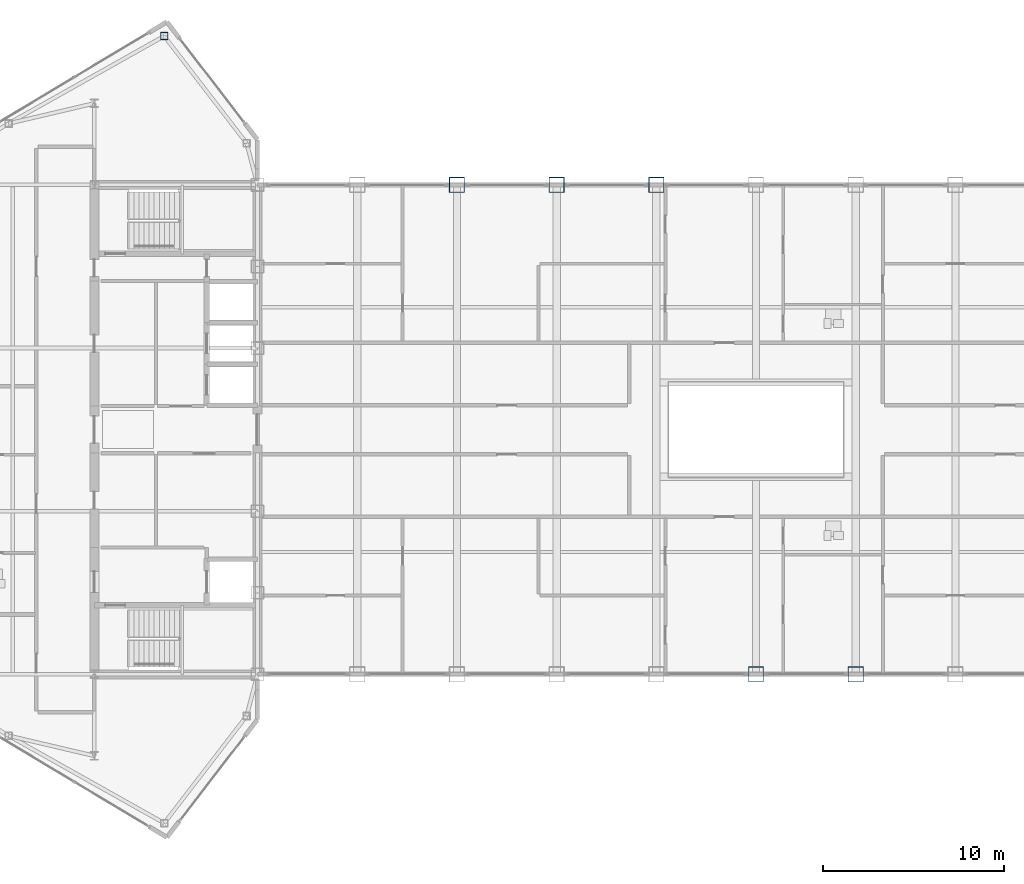
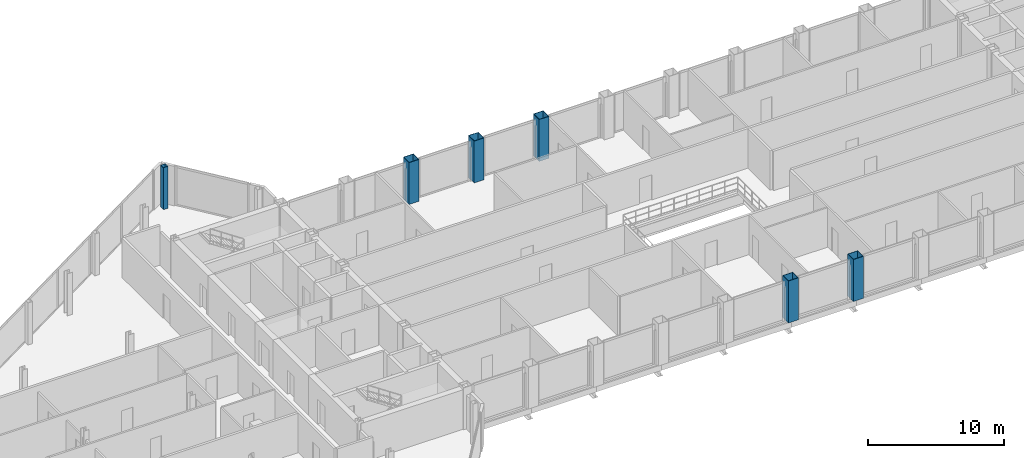
# One storey, part 3 of 29: 6 columns.
"""IFC4 building model written with IfcOpenShell, lengths in metres."""

from ifc_helpers import new_model, si_unit, direction, frame, origin, origin_2d, place, context, subcontext, project, spatial, hollow_rectangle, extrude, source, transform, mapped, material, material_profile, profile_set, type_object, type_shapes, element, save


model = new_model("IFC4")

# Units and contexts
model_context = context("Model", 3, precision=1e-05, world=origin(), true_north=direction((0.0, 1.0)))
body_context = subcontext(model_context, "Body", "Model", "MODEL_VIEW")
ifc_project = project(units=[si_unit("LENGTHUNIT", "METRE"), si_unit("AREAUNIT", "SQUARE_METRE"), si_unit("VOLUMEUNIT", "CUBIC_METRE"), si_unit("PLANEANGLEUNIT", "RADIAN"), si_unit("MASSUNIT", "GRAM", prefix="KILO")], contexts=[model_context])

# Site, building, storey
site_placement = place(None, origin())
site = spatial("IfcSite", under=ifc_project, at=site_placement, CompositionType="ELEMENT")
building_placement = place(site_placement, origin())
building = spatial("IfcBuilding", under=site, at=building_placement, Name="Seokmaru Belvedere", CompositionType="ELEMENT")
storey_placement = place(building_placement, frame((0.0, 0.0, 250.64990234375)))
storey = spatial("IfcBuildingStorey", under=building, at=storey_placement, Name="L66", CompositionType="ELEMENT", Elevation=250.64990234375)

# Columns
ifc_material_1 = material(Name="Steel SM355 (355 MPa)", Category="steel")
ifc_material_profile_1 = material_profile(ifc_material_1, hollow_rectangle(XDim=0.39990234375, YDim=0.39990234375, WallThickness=0.01611328125, at=origin_2d()), Name="HSS-400x400x16")
ifc_profile_set_1 = profile_set([ifc_material_profile_1], Name="Steel SM355 (355 MPa)")
column_type_1 = type_object("IfcColumnType", Name="Perimeter Facet Column HSS-400", PredefinedType="COLUMN", material=ifc_profile_set_1)
shared_shape_1 = source(origin(), body_context, "Body", "SweptSolid", [
    extrude(hollow_rectangle(XDim=0.39990234375, YDim=0.39990234375, WallThickness=0.01611328125, at=origin_2d()), origin(), (0.0, 0.0, 1.0), 3.75),
])
type_shapes(column_type_1, [shared_shape_1])
column_placement = place(storey_placement, frame((-32.649658203125, 21.71044921875, 0.0), z_axis=(0.0, 0.0, 1.0), x_axis=(1.0, 0.0, 0.0)))
element("IfcColumn", 1, at=column_placement, inside=storey, type_object=column_type_1, Name="L66 Column WF3", PredefinedType="COLUMN", context=body_context, shape_type="MappedRepresentation", body=[
    mapped(shared_shape_1, transform((0.0, 0.0, 0.0), scale=1.0)),
])
ifc_material_2 = material(Name="Steel HSA650 (650 MPa)", Category="steel")
ifc_material_profile_2 = material_profile(ifc_material_2, hollow_rectangle(XDim=0.85009765625, YDim=0.85009765625, WallThickness=0.035888671875, at=origin_2d()), Name="BOX-850x850x36")
ifc_profile_set_2 = profile_set([ifc_material_profile_2], Name="Steel HSA650 (650 MPa)")
column_type_2 = type_object("IfcColumnType", Name="Portal Spine Column BOX-850", PredefinedType="COLUMN", material=ifc_profile_set_2)
shared_shape_2 = source(origin(), body_context, "Body", "SweptSolid", [
    extrude(hollow_rectangle(XDim=0.85009765625, YDim=0.85009765625, WallThickness=0.035888671875, at=origin_2d()), origin(), (0.0, 0.0, 1.0), 3.75),
])
type_shapes(column_type_2, [shared_shape_2])
for number, where, z_axis, x_axis, name in (
    (2, (-16.5, 13.5, 0.0), (0.0, 0.0, 1.0), (1.0, 0.0, 0.0), "L66 Column BRN_2"),
    (3, (-11.0, 13.5, 0.0), (0.0, 0.0, 1.0), (1.0, 0.0, 0.0), "L66 Column BRN_3"),
    (4, (-5.5, 13.5, 0.0), (0.0, 0.0, 1.0), (1.0, 0.0, 0.0), "L66 Column BRN_4"),
    (5, (0.0, -13.5, 0.0), (0.0, 0.0, 1.0), (1.0, 0.0, 0.0), "L66 Column BRS_5"),
    (6, (5.5, -13.5, 0.0), (0.0, 0.0, 1.0), (1.0, 0.0, 0.0), "L66 Column BRS_6"),
):
    element("IfcColumn", number, at=place(storey_placement, frame(where, z_axis=z_axis, x_axis=x_axis)), inside=storey, type_object=column_type_2, Name=name, PredefinedType="COLUMN", context=body_context, shape_type="MappedRepresentation", body=[
        mapped(shared_shape_2, transform((0.0, 0.0, 0.0), scale=1.0)),
    ])

save(model, "model.ifc")
